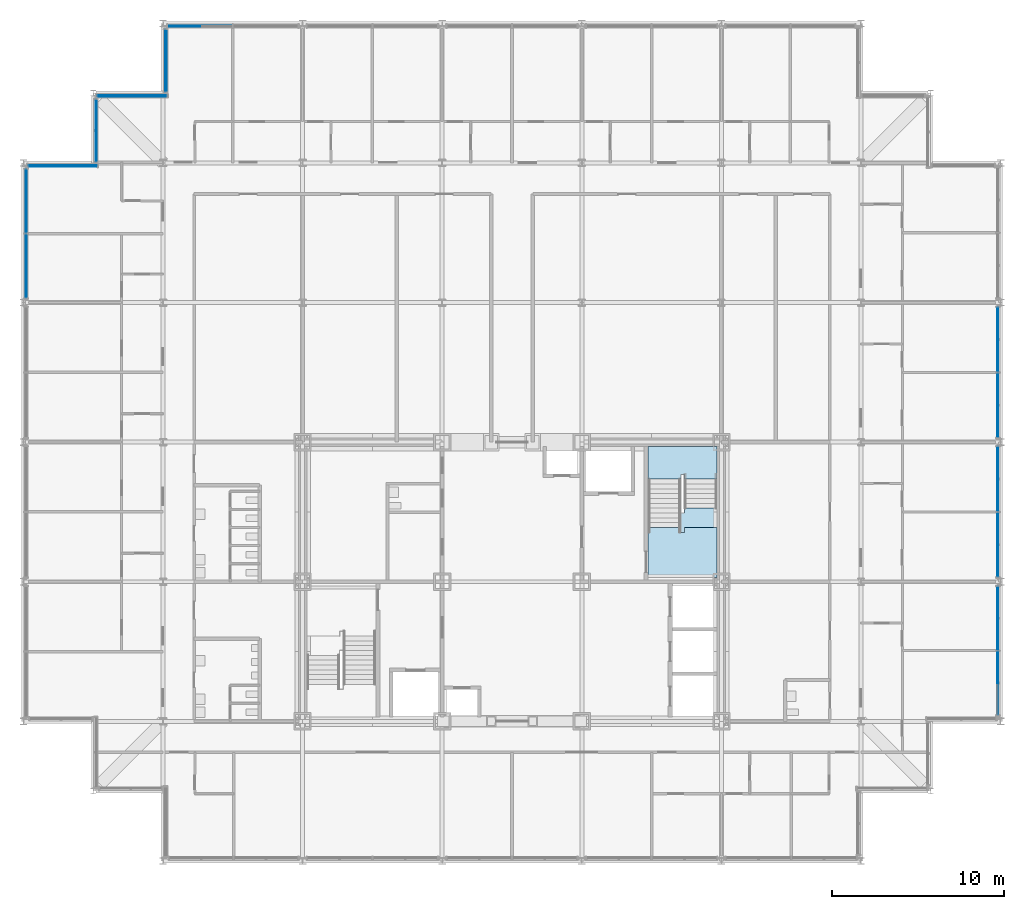
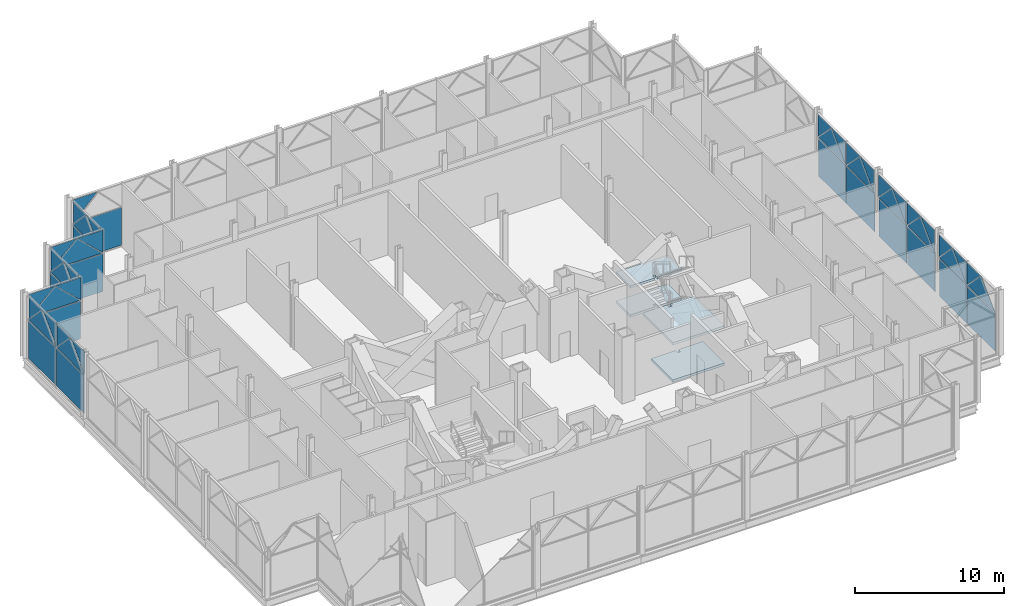
# One storey, part 16 of 26: 49 plates, 4 slabs, 10 elements without a shape of their own.
"""IFC4 building model written with IfcOpenShell, lengths in metres."""

from ifc_helpers import new_model, si_unit, direction, frame, origin, origin_2d, place, context, subcontext, project, spatial, polyline, rectangle, outline, extrude, material, layer, layer_set, type_object, element, aggregate, save


model = new_model("IFC4")

# Units and contexts
model_context = context("Model", 3, precision=1e-05, world=origin(), true_north=direction((0.0, 1.0)))
body_context = subcontext(model_context, "Body", "Model", "MODEL_VIEW")
ifc_project = project(units=[si_unit("LENGTHUNIT", "METRE"), si_unit("AREAUNIT", "SQUARE_METRE"), si_unit("VOLUMEUNIT", "CUBIC_METRE"), si_unit("PLANEANGLEUNIT", "RADIAN"), si_unit("MASSUNIT", "GRAM", prefix="KILO")], contexts=[model_context])

# Site, building, storey
site_placement = place(None, origin())
site = spatial("IfcSite", under=ifc_project, at=site_placement, CompositionType="ELEMENT")
building_placement = place(site_placement, origin())
building = spatial("IfcBuilding", under=site, at=building_placement, Name="Kopane Lantern Tower", CompositionType="ELEMENT")
storey_placement = place(building_placement, frame((0.0, 0.0, 293.10009765625)))
storey = spatial("IfcBuildingStorey", under=building, at=storey_placement, Name="L75", CompositionType="ELEMENT", Elevation=293.10009765625)

# Curtain wall, plates
ifc_material_1 = material(Name="Aluminium and clear glass", Category="aluminium")
curtain_wall_type = type_object("IfcCurtainWallType", Name="CURTAIN WALL CW5 SKY RESTAURANT", PredefinedType="USERDEFINED", material=ifc_material_1)
curtain_wall_1_placement = place(storey_placement, origin())
curtain_wall_1 = element("IfcCurtainWall", 1, at=curtain_wall_1_placement, inside=storey, type_object=curtain_wall_type, Name="Curtain wall CW5 E L75", ObjectType="CURTAIN WALL", PredefinedType="USERDEFINED")
ifc_material_2 = material(Name="Insulated clear glass unit", Category="glass")
ifc_layer_1 = layer(ifc_material_2, 0.035888671875)
ifc_layer_set_1 = layer_set([ifc_layer_1], Name="CURTAIN PANEL CW5-P 36")
plate_type = type_object("IfcPlateType", Name="CURTAIN PANEL CW5-P 36", PredefinedType="CURTAIN_PANEL", material=ifc_layer_set_1)
plate_1_placement = place(storey_placement, frame((56.550048828125, 26.518310546875, 0.0751953125), z_axis=(0.0, 0.0, 1.0), x_axis=(0.0, 1.0, 0.0)))
plate_1 = element("IfcPlate", 2, at=plate_1_placement, type_object=plate_type, Name="CW5 panel 1.1", PredefinedType="CURTAIN_PANEL", context=body_context, shape_type="SweptSolid", body=[
    extrude(rectangle(XDim=3.6865234375, YDim=0.035888671875, at=origin_2d()), origin(), (0.0, 0.0, 1.0), 3.077392578125),
])
plate_2_placement = place(storey_placement, frame((56.550048828125, 30.27978515625, 0.0751953125), z_axis=(0.0, 0.0, 1.0), x_axis=(0.0, 1.0, 0.0)))
plate_2 = element("IfcPlate", 3, at=plate_2_placement, type_object=plate_type, Name="CW5 panel 2.1", PredefinedType="CURTAIN_PANEL", context=body_context, shape_type="SweptSolid", body=[
    extrude(rectangle(XDim=3.6865234375, YDim=0.035888671875, at=origin_2d()), origin(), (0.0, 0.0, 1.0), 3.077392578125),
])
plate_3_placement = place(storey_placement, frame((56.550048828125, 24.675048828125, 3.227294921875), z_axis=(0.0, 0.0, 1.0), x_axis=(0.0, 1.0, 0.0)))
plate_3 = element("IfcPlate", 4, at=plate_3_placement, type_object=plate_type, Name="CW5 lancet panel 1", PredefinedType="CURTAIN_PANEL", context=body_context, shape_type="SweptSolid", body=[
    extrude(outline(polyline([(0.0, 0.0), (3.6865234375, 0.0), (3.6865234375, 0.001220703125), (1.84326171875, 1.890380859375), (0.0, 0.001220703125), (0.0, 0.0)])), frame((0.0, 0.01806640625, 0.0), z_axis=(0.0, -1.0, 0.0), x_axis=(1.0, 0.0, 0.0)), (0.0, 0.0, 1.0), 0.035888671875),
])
plate_4_placement = place(storey_placement, frame((56.511962890625, 28.361572265625, 5.114990234375), z_axis=(0.0, 0.0, 1.0), x_axis=(0.0, -1.0, 0.0)))
plate_4 = element("IfcPlate", 5, at=plate_4_placement, type_object=plate_type, Name="CW5 spandrel panel 1R", PredefinedType="CURTAIN_PANEL", context=body_context, shape_type="SweptSolid", body=[
    extrude(outline(polyline([(0.0, 0.0), (1.84326171875, 0.0), (1.84326171875, -0.0009765625), (0.0, -1.835205078125), (0.0, 0.0)])), frame((0.0, 0.01806640625, 0.0), z_axis=(0.0, -1.0, 0.0), x_axis=(1.0, 0.0, 0.0)), (0.0, 0.0, 1.0), 0.035888671875),
])
plate_5_placement = place(storey_placement, frame((56.550048828125, 28.4365234375, 3.227294921875), z_axis=(0.0, 0.0, 1.0), x_axis=(0.0, 1.0, 0.0)))
plate_5 = element("IfcPlate", 6, at=plate_5_placement, type_object=plate_type, Name="CW5 lancet panel 2", PredefinedType="CURTAIN_PANEL", context=body_context, shape_type="SweptSolid", body=[
    extrude(outline(polyline([(0.0, 0.0), (3.686767578125, 0.0), (3.6865234375, 0.001220703125), (1.84326171875, 1.890380859375), (0.0, 0.001220703125), (0.0, 0.0)])), frame((0.0, 0.01806640625, 0.0), z_axis=(0.0, -1.0, 0.0), x_axis=(1.0, 0.0, 0.0)), (0.0, 0.0, 1.0), 0.035888671875),
])
plate_6_placement = place(storey_placement, frame((56.511962890625, 28.4365234375, 5.114990234375), z_axis=(0.0, 0.0, 1.0), x_axis=(0.0, 1.0, 0.0)))
plate_6 = element("IfcPlate", 7, at=plate_6_placement, type_object=plate_type, Name="CW5 spandrel panel 2L", PredefinedType="CURTAIN_PANEL", context=body_context, shape_type="SweptSolid", body=[
    extrude(outline(polyline([(0.0, 0.0), (1.84326171875, 0.0), (1.84326171875, -0.0009765625), (0.0, -1.835205078125), (0.0, 0.0)])), frame((0.0, 0.01806640625, 0.0), z_axis=(0.0, -1.0, 0.0), x_axis=(1.0, 0.0, 0.0)), (0.0, 0.0, 1.0), 0.035888671875),
])
plate_7_placement = place(storey_placement, frame((56.511962890625, 32.123291015625, 5.114990234375), z_axis=(0.0, 0.0, 1.0), x_axis=(0.0, -1.0, 0.0)))
plate_7 = element("IfcPlate", 8, at=plate_7_placement, type_object=plate_type, Name="CW5 spandrel panel 2R", PredefinedType="CURTAIN_PANEL", context=body_context, shape_type="SweptSolid", body=[
    extrude(outline(polyline([(0.0, 0.0), (1.843505859375, 0.0), (1.84326171875, -0.0009765625), (0.0, -1.835205078125), (0.0, 0.0)])), frame((0.0, 0.01806640625, 0.0), z_axis=(0.0, -1.0, 0.0), x_axis=(1.0, 0.0, 0.0)), (0.0, 0.0, 1.0), 0.035888671875),
])
aggregate(curtain_wall_1, [plate_1, plate_2, plate_3, plate_4, plate_5, plate_6, plate_7])

curtain_wall_2_placement = place(storey_placement, origin())
curtain_wall_2 = element("IfcCurtainWall", 9, at=curtain_wall_2_placement, inside=storey, type_object=curtain_wall_type, Name="Curtain wall CW5 E L75", ObjectType="CURTAIN WALL", PredefinedType="USERDEFINED")
plate_8_placement = place(storey_placement, frame((56.550048828125, 34.544677734375, 0.0751953125), z_axis=(0.0, 0.0, 1.0), x_axis=(0.0, 1.0, 0.0)))
plate_8 = element("IfcPlate", 10, at=plate_8_placement, type_object=plate_type, Name="CW5 panel 1.1", PredefinedType="CURTAIN_PANEL", context=body_context, shape_type="SweptSolid", body=[
    extrude(rectangle(XDim=3.735595703125, YDim=0.035888671875, at=origin_2d()), origin(), (0.0, 0.0, 1.0), 3.077392578125),
])
plate_9_placement = place(storey_placement, frame((56.550048828125, 38.35546875, 0.0751953125), z_axis=(0.0, 0.0, 1.0), x_axis=(0.0, 1.0, 0.0)))
plate_9 = element("IfcPlate", 11, at=plate_9_placement, type_object=plate_type, Name="CW5 panel 2.1", PredefinedType="CURTAIN_PANEL", context=body_context, shape_type="SweptSolid", body=[
    extrude(rectangle(XDim=3.735595703125, YDim=0.035888671875, at=origin_2d()), origin(), (0.0, 0.0, 1.0), 3.077392578125),
])
plate_10_placement = place(storey_placement, frame((56.550048828125, 32.6767578125, 3.227294921875), z_axis=(0.0, 0.0, 1.0), x_axis=(0.0, 1.0, 0.0)))
plate_10 = element("IfcPlate", 12, at=plate_10_placement, type_object=plate_type, Name="CW5 lancet panel 1", PredefinedType="CURTAIN_PANEL", context=body_context, shape_type="SweptSolid", body=[
    extrude(outline(polyline([(0.0, 0.0), (3.73583984375, 0.0), (3.735595703125, 0.001220703125), (1.867919921875, 1.888916015625), (0.0, 0.001220703125), (0.0, 0.0)])), frame((0.0, 0.01806640625, 0.0), z_axis=(0.0, -1.0, 0.0), x_axis=(1.0, 0.0, 0.0)), (0.0, 0.0, 1.0), 0.035888671875),
])
plate_11_placement = place(storey_placement, frame((56.511962890625, 32.6767578125, 5.114990234375), z_axis=(0.0, 0.0, 1.0), x_axis=(0.0, 1.0, 0.0)))
plate_11 = element("IfcPlate", 13, at=plate_11_placement, type_object=plate_type, Name="CW5 spandrel panel 1L", PredefinedType="CURTAIN_PANEL", context=body_context, shape_type="SweptSolid", body=[
    extrude(outline(polyline([(0.0, 0.0), (1.867919921875, 0.0), (1.867919921875, -0.0009765625), (0.0, -1.8349609375), (0.0, 0.0)])), frame((0.0, 0.01806640625, 0.0), z_axis=(0.0, -1.0, 0.0), x_axis=(1.0, 0.0, 0.0)), (0.0, 0.0, 1.0), 0.035888671875),
])
plate_12_placement = place(storey_placement, frame((56.511962890625, 36.41259765625, 5.114990234375), z_axis=(0.0, 0.0, 1.0), x_axis=(0.0, -1.0, 0.0)))
plate_12 = element("IfcPlate", 14, at=plate_12_placement, type_object=plate_type, Name="CW5 spandrel panel 1R", PredefinedType="CURTAIN_PANEL", context=body_context, shape_type="SweptSolid", body=[
    extrude(outline(polyline([(0.0, 0.0), (1.867919921875, 0.0), (1.867919921875, -0.0009765625), (0.0, -1.8349609375), (0.0, 0.0)])), frame((0.0, 0.01806640625, 0.0), z_axis=(0.0, -1.0, 0.0), x_axis=(1.0, 0.0, 0.0)), (0.0, 0.0, 1.0), 0.035888671875),
])
plate_13_placement = place(storey_placement, frame((56.550048828125, 36.487548828125, 3.227294921875), z_axis=(0.0, 0.0, 1.0), x_axis=(0.0, 1.0, 0.0)))
plate_13 = element("IfcPlate", 15, at=plate_13_placement, type_object=plate_type, Name="CW5 lancet panel 2", PredefinedType="CURTAIN_PANEL", context=body_context, shape_type="SweptSolid", body=[
    extrude(outline(polyline([(0.0, 0.0), (3.735595703125, 0.0), (3.735595703125, 0.001220703125), (1.867919921875, 1.888916015625), (0.0, 0.001220703125), (0.0, 0.0)])), frame((0.0, 0.01806640625, 0.0), z_axis=(0.0, -1.0, 0.0), x_axis=(1.0, 0.0, 0.0)), (0.0, 0.0, 1.0), 0.035888671875),
])
plate_14_placement = place(storey_placement, frame((56.511962890625, 36.487548828125, 5.114990234375), z_axis=(0.0, 0.0, 1.0), x_axis=(0.0, 1.0, 0.0)))
plate_14 = element("IfcPlate", 16, at=plate_14_placement, type_object=plate_type, Name="CW5 spandrel panel 2L", PredefinedType="CURTAIN_PANEL", context=body_context, shape_type="SweptSolid", body=[
    extrude(outline(polyline([(0.0, 0.0), (1.867919921875, 0.0), (1.867919921875, -0.0009765625), (0.0, -1.8349609375), (0.0, 0.0)])), frame((0.0, 0.01806640625, 0.0), z_axis=(0.0, -1.0, 0.0), x_axis=(1.0, 0.0, 0.0)), (0.0, 0.0, 1.0), 0.035888671875),
])
plate_15_placement = place(storey_placement, frame((56.511962890625, 40.22314453125, 5.114990234375), z_axis=(0.0, 0.0, 1.0), x_axis=(0.0, -1.0, 0.0)))
plate_15 = element("IfcPlate", 17, at=plate_15_placement, type_object=plate_type, Name="CW5 spandrel panel 2R", PredefinedType="CURTAIN_PANEL", context=body_context, shape_type="SweptSolid", body=[
    extrude(outline(polyline([(0.0, 0.0), (1.86767578125, 0.0), (1.867919921875, -0.0009765625), (0.0, -1.8349609375), (0.0, 0.0)])), frame((0.0, 0.01806640625, 0.0), z_axis=(0.0, -1.0, 0.0), x_axis=(1.0, 0.0, 0.0)), (0.0, 0.0, 1.0), 0.035888671875),
])
aggregate(curtain_wall_2, [plate_8, plate_9, plate_10, plate_11, plate_12, plate_13, plate_14, plate_15])

curtain_wall_3_placement = place(storey_placement, origin())
curtain_wall_3 = element("IfcCurtainWall", 18, at=curtain_wall_3_placement, inside=storey, type_object=curtain_wall_type, Name="Curtain wall CW5 E L75", ObjectType="CURTAIN WALL", PredefinedType="USERDEFINED")
plate_16_placement = place(storey_placement, frame((56.550048828125, 42.64453125, 0.0751953125), z_axis=(0.0, 0.0, 1.0), x_axis=(0.0, 1.0, 0.0)))
plate_16 = element("IfcPlate", 19, at=plate_16_placement, type_object=plate_type, Name="CW5 panel 1.1", PredefinedType="CURTAIN_PANEL", context=body_context, shape_type="SweptSolid", body=[
    extrude(rectangle(XDim=3.735595703125, YDim=0.035888671875, at=origin_2d()), origin(), (0.0, 0.0, 1.0), 3.077392578125),
])
plate_17_placement = place(storey_placement, frame((56.550048828125, 46.455322265625, 0.0751953125), z_axis=(0.0, 0.0, 1.0), x_axis=(0.0, 1.0, 0.0)))
plate_17 = element("IfcPlate", 20, at=plate_17_placement, type_object=plate_type, Name="CW5 panel 2.1", PredefinedType="CURTAIN_PANEL", context=body_context, shape_type="SweptSolid", body=[
    extrude(rectangle(XDim=3.735595703125, YDim=0.035888671875, at=origin_2d()), origin(), (0.0, 0.0, 1.0), 3.077392578125),
])
plate_18_placement = place(storey_placement, frame((56.550048828125, 40.77685546875, 3.227294921875), z_axis=(0.0, 0.0, 1.0), x_axis=(0.0, 1.0, 0.0)))
plate_18 = element("IfcPlate", 21, at=plate_18_placement, type_object=plate_type, Name="CW5 lancet panel 1", PredefinedType="CURTAIN_PANEL", context=body_context, shape_type="SweptSolid", body=[
    extrude(outline(polyline([(0.0, 0.0), (3.735595703125, 0.0), (3.735595703125, 0.001220703125), (1.867919921875, 1.888916015625), (0.0, 0.001220703125), (0.0, 0.0)])), frame((0.0, 0.01806640625, 0.0), z_axis=(0.0, -1.0, 0.0), x_axis=(1.0, 0.0, 0.0)), (0.0, 0.0, 1.0), 0.035888671875),
])
plate_19_placement = place(storey_placement, frame((56.511962890625, 40.77685546875, 5.114990234375), z_axis=(0.0, 0.0, 1.0), x_axis=(0.0, 1.0, 0.0)))
plate_19 = element("IfcPlate", 22, at=plate_19_placement, type_object=plate_type, Name="CW5 spandrel panel 1L", PredefinedType="CURTAIN_PANEL", context=body_context, shape_type="SweptSolid", body=[
    extrude(outline(polyline([(0.0, 0.0), (1.86767578125, 0.0), (1.867919921875, -0.0009765625), (0.0, -1.8349609375), (0.0, 0.0)])), frame((0.0, 0.01806640625, 0.0), z_axis=(0.0, -1.0, 0.0), x_axis=(1.0, 0.0, 0.0)), (0.0, 0.0, 1.0), 0.035888671875),
])
plate_20_placement = place(storey_placement, frame((56.511962890625, 44.512451171875, 5.114990234375), z_axis=(0.0, 0.0, 1.0), x_axis=(0.0, -1.0, 0.0)))
plate_20 = element("IfcPlate", 23, at=plate_20_placement, type_object=plate_type, Name="CW5 spandrel panel 1R", PredefinedType="CURTAIN_PANEL", context=body_context, shape_type="SweptSolid", body=[
    extrude(outline(polyline([(0.0, 0.0), (1.867919921875, 0.0), (1.867919921875, -0.0009765625), (0.0, -1.8349609375), (0.0, 0.0)])), frame((0.0, 0.01806640625, 0.0), z_axis=(0.0, -1.0, 0.0), x_axis=(1.0, 0.0, 0.0)), (0.0, 0.0, 1.0), 0.035888671875),
])
plate_21_placement = place(storey_placement, frame((56.550048828125, 44.58740234375, 3.227294921875), z_axis=(0.0, 0.0, 1.0), x_axis=(0.0, 1.0, 0.0)))
plate_21 = element("IfcPlate", 24, at=plate_21_placement, type_object=plate_type, Name="CW5 lancet panel 2", PredefinedType="CURTAIN_PANEL", context=body_context, shape_type="SweptSolid", body=[
    extrude(outline(polyline([(0.0, 0.0), (3.73583984375, 0.0), (3.735595703125, 0.001220703125), (1.867919921875, 1.888916015625), (0.0, 0.001220703125), (0.0, 0.0)])), frame((0.0, 0.01806640625, 0.0), z_axis=(0.0, -1.0, 0.0), x_axis=(1.0, 0.0, 0.0)), (0.0, 0.0, 1.0), 0.035888671875),
])
plate_22_placement = place(storey_placement, frame((56.511962890625, 44.58740234375, 5.114990234375), z_axis=(0.0, 0.0, 1.0), x_axis=(0.0, 1.0, 0.0)))
plate_22 = element("IfcPlate", 25, at=plate_22_placement, type_object=plate_type, Name="CW5 spandrel panel 2L", PredefinedType="CURTAIN_PANEL", context=body_context, shape_type="SweptSolid", body=[
    extrude(outline(polyline([(0.0, 0.0), (1.867919921875, 0.0), (1.867919921875, -0.0009765625), (0.0, -1.8349609375), (0.0, 0.0)])), frame((0.0, 0.01806640625, 0.0), z_axis=(0.0, -1.0, 0.0), x_axis=(1.0, 0.0, 0.0)), (0.0, 0.0, 1.0), 0.035888671875),
])
plate_23_placement = place(storey_placement, frame((56.511962890625, 48.3232421875, 5.114990234375), z_axis=(0.0, 0.0, 1.0), x_axis=(0.0, -1.0, 0.0)))
plate_23 = element("IfcPlate", 26, at=plate_23_placement, type_object=plate_type, Name="CW5 spandrel panel 2R", PredefinedType="CURTAIN_PANEL", context=body_context, shape_type="SweptSolid", body=[
    extrude(outline(polyline([(0.0, 0.0), (1.867919921875, 0.0), (1.867919921875, -0.0009765625), (0.0, -1.8349609375), (0.0, 0.0)])), frame((0.0, 0.01806640625, 0.0), z_axis=(0.0, -1.0, 0.0), x_axis=(1.0, 0.0, 0.0)), (0.0, 0.0, 1.0), 0.035888671875),
])
aggregate(curtain_wall_3, [plate_16, plate_17, plate_18, plate_19, plate_20, plate_21, plate_22, plate_23])

curtain_wall_4_placement = place(storey_placement, origin())
curtain_wall_4 = element("IfcCurtainWall", 27, at=curtain_wall_4_placement, inside=storey, type_object=curtain_wall_type, Name="Curtain wall CW5 N L75", ObjectType="CURTAIN WALL", PredefinedType="USERDEFINED")
plate_24_placement = place(storey_placement, frame((10.24609375, 64.64990234375, 0.0751953125), z_axis=(0.0, 0.0, 1.0), x_axis=(-1.0, 0.0, 0.0)))
plate_24 = element("IfcPlate", 28, at=plate_24_placement, type_object=plate_type, Name="CW5 panel 2.1", PredefinedType="CURTAIN_PANEL", context=body_context, shape_type="SweptSolid", body=[
    extrude(rectangle(XDim=3.73291015625, YDim=0.035888671875, at=origin_2d()), origin(), (0.0, 0.0, 1.0), 3.077392578125),
])
plate_25_placement = place(storey_placement, frame((8.37939453125, 64.612060546875, 5.114990234375), z_axis=(0.0, 0.0, 1.0), x_axis=(1.0, 0.0, 0.0)))
plate_25 = element("IfcPlate", 29, at=plate_25_placement, type_object=plate_type, Name="CW5 spandrel panel 2R", PredefinedType="CURTAIN_PANEL", context=body_context, shape_type="SweptSolid", body=[
    extrude(outline(polyline([(0.0, 0.0), (1.86669921875, 0.0), (1.866455078125, -0.0009765625), (0.0, -1.8349609375), (0.0, 0.0)])), frame((0.0, 0.01806640625, 0.0), z_axis=(0.0, -1.0, 0.0), x_axis=(1.0, 0.0, 0.0)), (0.0, 0.0, 1.0), 0.035888671875),
])
aggregate(curtain_wall_4, [plate_24, plate_25])

curtain_wall_5_placement = place(storey_placement, origin())
curtain_wall_5 = element("IfcCurtainWall", 30, at=curtain_wall_5_placement, inside=storey, type_object=curtain_wall_type, Name="Curtain wall CW5 W L75", ObjectType="CURTAIN WALL", PredefinedType="USERDEFINED")
plate_26_placement = place(storey_placement, frame((8.25, 62.625, 0.0751953125), z_axis=(0.0, 0.0, 1.0), x_axis=(0.0, -1.0, 0.0)))
plate_26 = element("IfcPlate", 31, at=plate_26_placement, type_object=plate_type, Name="CW5 panel 1.1", PredefinedType="CURTAIN_PANEL", context=body_context, shape_type="SweptSolid", body=[
    extrude(rectangle(XDim=3.60009765625, YDim=0.035888671875, at=origin_2d()), origin(), (0.0, 0.0, 1.0), 3.077392578125),
])
plate_27_placement = place(storey_placement, frame((8.25, 64.425048828125, 3.227294921875), z_axis=(0.0, 0.0, 1.0), x_axis=(0.0, -1.0, 0.0)))
plate_27 = element("IfcPlate", 32, at=plate_27_placement, type_object=plate_type, Name="CW5 lancet panel 1", PredefinedType="CURTAIN_PANEL", context=body_context, shape_type="SweptSolid", body=[
    extrude(outline(polyline([(0.0, 0.0), (3.60009765625, 0.0), (3.60009765625, 0.001220703125), (1.800048828125, 1.89306640625), (0.0, 0.001220703125), (0.0, 0.0)])), frame((0.0, 0.01806640625, 0.0), z_axis=(0.0, -1.0, 0.0), x_axis=(1.0, 0.0, 0.0)), (0.0, 0.0, 1.0), 0.035888671875),
])
plate_28_placement = place(storey_placement, frame((8.2880859375, 64.425048828125, 5.114990234375), z_axis=(0.0, 0.0, 1.0), x_axis=(0.0, -1.0, 0.0)))
plate_28 = element("IfcPlate", 33, at=plate_28_placement, type_object=plate_type, Name="CW5 spandrel panel 1L", PredefinedType="CURTAIN_PANEL", context=body_context, shape_type="SweptSolid", body=[
    extrude(outline(polyline([(0.0, 0.0), (1.800048828125, 0.0), (1.800048828125, -0.0009765625), (0.0, -1.8359375), (0.0, 0.0)])), frame((0.0, 0.01806640625, 0.0), z_axis=(0.0, -1.0, 0.0), x_axis=(1.0, 0.0, 0.0)), (0.0, 0.0, 1.0), 0.035888671875),
])
plate_29_placement = place(storey_placement, frame((8.2880859375, 60.824951171875, 5.114990234375), z_axis=(0.0, 0.0, 1.0), x_axis=(0.0, 1.0, 0.0)))
plate_29 = element("IfcPlate", 34, at=plate_29_placement, type_object=plate_type, Name="CW5 spandrel panel 1R", PredefinedType="CURTAIN_PANEL", context=body_context, shape_type="SweptSolid", body=[
    extrude(outline(polyline([(0.0, 0.0), (1.800048828125, 0.0), (1.800048828125, -0.0009765625), (0.0, -1.8359375), (0.0, 0.0)])), frame((0.0, 0.01806640625, 0.0), z_axis=(0.0, -1.0, 0.0), x_axis=(1.0, 0.0, 0.0)), (0.0, 0.0, 1.0), 0.035888671875),
])
aggregate(curtain_wall_5, [plate_26, plate_27, plate_28, plate_29])

curtain_wall_6_placement = place(storey_placement, origin())
curtain_wall_6 = element("IfcCurtainWall", 35, at=curtain_wall_6_placement, inside=storey, type_object=curtain_wall_type, Name="Curtain wall CW5 N L75", ObjectType="CURTAIN WALL", PredefinedType="USERDEFINED")
plate_30_placement = place(storey_placement, frame((6.304443359375, 60.60009765625, 0.0751953125), z_axis=(0.0, 0.0, 1.0), x_axis=(-1.0, 0.0, 0.0)))
plate_30 = element("IfcPlate", 36, at=plate_30_placement, type_object=plate_type, Name="CW5 panel 1.1", PredefinedType="CURTAIN_PANEL", context=body_context, shape_type="SweptSolid", body=[
    extrude(rectangle(XDim=4.041259765625, YDim=0.035888671875, at=origin_2d()), origin(), (0.0, 0.0, 1.0), 3.077392578125),
])
plate_31_placement = place(storey_placement, frame((8.324951171875, 60.60009765625, 3.227294921875), z_axis=(0.0, 0.0, 1.0), x_axis=(-1.0, 0.0, 0.0)))
plate_31 = element("IfcPlate", 37, at=plate_31_placement, type_object=plate_type, Name="CW5 lancet panel 1", PredefinedType="CURTAIN_PANEL", context=body_context, shape_type="SweptSolid", body=[
    extrude(outline(polyline([(0.0, 0.0), (4.041259765625, 0.0), (4.041259765625, 0.001220703125), (2.020751953125, 1.880126953125), (0.0, 0.001220703125), (0.0, 0.0)])), frame((0.0, 0.01806640625, 0.0), z_axis=(0.0, -1.0, 0.0), x_axis=(1.0, 0.0, 0.0)), (0.0, 0.0, 1.0), 0.035888671875),
])
plate_32_placement = place(storey_placement, frame((8.324951171875, 60.56201171875, 5.114990234375), z_axis=(0.0, 0.0, 1.0), x_axis=(-1.0, 0.0, 0.0)))
plate_32 = element("IfcPlate", 38, at=plate_32_placement, type_object=plate_type, Name="CW5 spandrel panel 1L", PredefinedType="CURTAIN_PANEL", context=body_context, shape_type="SweptSolid", body=[
    extrude(outline(polyline([(0.0, 0.0), (2.020751953125, 0.0), (2.020751953125, -0.0009765625), (0.0, -1.832763671875), (0.0, 0.0)])), frame((0.0, 0.01806640625, 0.0), z_axis=(0.0, -1.0, 0.0), x_axis=(1.0, 0.0, 0.0)), (0.0, 0.0, 1.0), 0.035888671875),
])
plate_33_placement = place(storey_placement, frame((4.28369140625, 60.56201171875, 5.114990234375), z_axis=(0.0, 0.0, 1.0), x_axis=(1.0, 0.0, 0.0)))
plate_33 = element("IfcPlate", 39, at=plate_33_placement, type_object=plate_type, Name="CW5 spandrel panel 1R", PredefinedType="CURTAIN_PANEL", context=body_context, shape_type="SweptSolid", body=[
    extrude(outline(polyline([(0.0, 0.0), (2.0205078125, 0.0), (2.020751953125, -0.0009765625), (0.0, -1.832763671875), (0.0, 0.0)])), frame((0.0, 0.01806640625, 0.0), z_axis=(0.0, -1.0, 0.0), x_axis=(1.0, 0.0, 0.0)), (0.0, 0.0, 1.0), 0.035888671875),
])
aggregate(curtain_wall_6, [plate_30, plate_31, plate_32, plate_33])

curtain_wall_7_placement = place(storey_placement, origin())
curtain_wall_7 = element("IfcCurtainWall", 40, at=curtain_wall_7_placement, inside=storey, type_object=curtain_wall_type, Name="Curtain wall CW5 W L75", ObjectType="CURTAIN WALL", PredefinedType="USERDEFINED")
plate_34_placement = place(storey_placement, frame((4.199951171875, 58.574951171875, 0.0751953125), z_axis=(0.0, 0.0, 1.0), x_axis=(0.0, -1.0, 0.0)))
plate_34 = element("IfcPlate", 41, at=plate_34_placement, type_object=plate_type, Name="CW5 panel 1.1", PredefinedType="CURTAIN_PANEL", context=body_context, shape_type="SweptSolid", body=[
    extrude(rectangle(XDim=3.60009765625, YDim=0.035888671875, at=origin_2d()), origin(), (0.0, 0.0, 1.0), 3.077392578125),
])
plate_35_placement = place(storey_placement, frame((4.199951171875, 60.375, 3.227294921875), z_axis=(0.0, 0.0, 1.0), x_axis=(0.0, -1.0, 0.0)))
plate_35 = element("IfcPlate", 42, at=plate_35_placement, type_object=plate_type, Name="CW5 lancet panel 1", PredefinedType="CURTAIN_PANEL", context=body_context, shape_type="SweptSolid", body=[
    extrude(outline(polyline([(0.0, 0.0), (3.60009765625, 0.0), (3.60009765625, 0.001220703125), (1.800048828125, 1.89306640625), (0.0, 0.001220703125), (0.0, 0.0)])), frame((0.0, 0.01806640625, 0.0), z_axis=(0.0, -1.0, 0.0), x_axis=(1.0, 0.0, 0.0)), (0.0, 0.0, 1.0), 0.035888671875),
])
plate_36_placement = place(storey_placement, frame((4.238037109375, 60.375, 5.114990234375), z_axis=(0.0, 0.0, 1.0), x_axis=(0.0, -1.0, 0.0)))
plate_36 = element("IfcPlate", 43, at=plate_36_placement, type_object=plate_type, Name="CW5 spandrel panel 1L", PredefinedType="CURTAIN_PANEL", context=body_context, shape_type="SweptSolid", body=[
    extrude(outline(polyline([(0.0, 0.0), (1.800048828125, 0.0), (1.800048828125, -0.0009765625), (0.0, -1.8359375), (0.0, 0.0)])), frame((0.0, 0.01806640625, 0.0), z_axis=(0.0, -1.0, 0.0), x_axis=(1.0, 0.0, 0.0)), (0.0, 0.0, 1.0), 0.035888671875),
])
plate_37_placement = place(storey_placement, frame((4.238037109375, 56.77490234375, 5.114990234375), z_axis=(0.0, 0.0, 1.0), x_axis=(0.0, 1.0, 0.0)))
plate_37 = element("IfcPlate", 44, at=plate_37_placement, type_object=plate_type, Name="CW5 spandrel panel 1R", PredefinedType="CURTAIN_PANEL", context=body_context, shape_type="SweptSolid", body=[
    extrude(outline(polyline([(0.0, 0.0), (1.800048828125, 0.0), (1.800048828125, -0.0009765625), (0.0, -1.8359375), (0.0, 0.0)])), frame((0.0, 0.01806640625, 0.0), z_axis=(0.0, -1.0, 0.0), x_axis=(1.0, 0.0, 0.0)), (0.0, 0.0, 1.0), 0.035888671875),
])
aggregate(curtain_wall_7, [plate_34, plate_35, plate_36, plate_37])

curtain_wall_8_placement = place(storey_placement, origin())
curtain_wall_8 = element("IfcCurtainWall", 45, at=curtain_wall_8_placement, inside=storey, type_object=curtain_wall_type, Name="Curtain wall CW5 N L75", ObjectType="CURTAIN WALL", PredefinedType="USERDEFINED")
plate_38_placement = place(storey_placement, frame((2.27734375, 56.550048828125, 0.0751953125), z_axis=(0.0, 0.0, 1.0), x_axis=(-1.0, 0.0, 0.0)))
plate_38 = element("IfcPlate", 46, at=plate_38_placement, type_object=plate_type, Name="CW5 panel 1.1", PredefinedType="CURTAIN_PANEL", context=body_context, shape_type="SweptSolid", body=[
    extrude(rectangle(XDim=3.99560546875, YDim=0.035888671875, at=origin_2d()), origin(), (0.0, 0.0, 1.0), 3.077392578125),
])
plate_39_placement = place(storey_placement, frame((4.27490234375, 56.550048828125, 3.227294921875), z_axis=(0.0, 0.0, 1.0), x_axis=(-1.0, 0.0, 0.0)))
plate_39 = element("IfcPlate", 47, at=plate_39_placement, type_object=plate_type, Name="CW5 lancet panel 1", PredefinedType="CURTAIN_PANEL", context=body_context, shape_type="SweptSolid", body=[
    extrude(outline(polyline([(0.0, 0.0), (3.995361328125, 0.0), (3.99560546875, 0.001220703125), (1.997802734375, 1.88134765625), (0.0, 0.001220703125), (0.0, 0.0)])), frame((0.0, 0.01806640625, 0.0), z_axis=(0.0, -1.0, 0.0), x_axis=(1.0, 0.0, 0.0)), (0.0, 0.0, 1.0), 0.035888671875),
])
plate_40_placement = place(storey_placement, frame((4.27490234375, 56.511962890625, 5.114990234375), z_axis=(0.0, 0.0, 1.0), x_axis=(-1.0, 0.0, 0.0)))
plate_40 = element("IfcPlate", 48, at=plate_40_placement, type_object=plate_type, Name="CW5 spandrel panel 1L", PredefinedType="CURTAIN_PANEL", context=body_context, shape_type="SweptSolid", body=[
    extrude(outline(polyline([(0.0, 0.0), (1.997802734375, 0.0), (1.997802734375, -0.0009765625), (0.0, -1.8330078125), (0.0, 0.0)])), frame((0.0, 0.01806640625, 0.0), z_axis=(0.0, -1.0, 0.0), x_axis=(1.0, 0.0, 0.0)), (0.0, 0.0, 1.0), 0.035888671875),
])
plate_41_placement = place(storey_placement, frame((0.279541015625, 56.511962890625, 5.114990234375), z_axis=(0.0, 0.0, 1.0), x_axis=(1.0, 0.0, 0.0)))
plate_41 = element("IfcPlate", 49, at=plate_41_placement, type_object=plate_type, Name="CW5 spandrel panel 1R", PredefinedType="CURTAIN_PANEL", context=body_context, shape_type="SweptSolid", body=[
    extrude(outline(polyline([(0.0, 0.0), (1.99755859375, 0.0), (1.997802734375, -0.0009765625), (0.0, -1.8330078125), (0.0, 0.0)])), frame((0.0, 0.01806640625, 0.0), z_axis=(0.0, -1.0, 0.0), x_axis=(1.0, 0.0, 0.0)), (0.0, 0.0, 1.0), 0.035888671875),
])
aggregate(curtain_wall_8, [plate_38, plate_39, plate_40, plate_41])

curtain_wall_9_placement = place(storey_placement, origin())
curtain_wall_9 = element("IfcCurtainWall", 50, at=curtain_wall_9_placement, inside=storey, type_object=curtain_wall_type, Name="Curtain wall CW5 W L75", ObjectType="CURTAIN WALL", PredefinedType="USERDEFINED")
plate_42_placement = place(storey_placement, frame((0.14990234375, 54.481689453125, 0.0751953125), z_axis=(0.0, 0.0, 1.0), x_axis=(0.0, -1.0, 0.0)))
plate_42 = element("IfcPlate", 51, at=plate_42_placement, type_object=plate_type, Name="CW5 panel 1.1", PredefinedType="CURTAIN_PANEL", context=body_context, shape_type="SweptSolid", body=[
    extrude(rectangle(XDim=3.6865234375, YDim=0.035888671875, at=origin_2d()), origin(), (0.0, 0.0, 1.0), 3.077392578125),
])
plate_43_placement = place(storey_placement, frame((0.14990234375, 50.72021484375, 0.0751953125), z_axis=(0.0, 0.0, 1.0), x_axis=(0.0, -1.0, 0.0)))
plate_43 = element("IfcPlate", 52, at=plate_43_placement, type_object=plate_type, Name="CW5 panel 2.1", PredefinedType="CURTAIN_PANEL", context=body_context, shape_type="SweptSolid", body=[
    extrude(rectangle(XDim=3.6865234375, YDim=0.035888671875, at=origin_2d()), origin(), (0.0, 0.0, 1.0), 3.077392578125),
])
plate_44_placement = place(storey_placement, frame((0.14990234375, 56.324951171875, 3.227294921875), z_axis=(0.0, 0.0, 1.0), x_axis=(0.0, -1.0, 0.0)))
plate_44 = element("IfcPlate", 53, at=plate_44_placement, type_object=plate_type, Name="CW5 lancet panel 1", PredefinedType="CURTAIN_PANEL", context=body_context, shape_type="SweptSolid", body=[
    extrude(outline(polyline([(0.0, 0.0), (3.6865234375, 0.0), (3.6865234375, 0.001220703125), (1.84326171875, 1.890380859375), (0.0, 0.001220703125), (0.0, 0.0)])), frame((0.0, 0.01806640625, 0.0), z_axis=(0.0, -1.0, 0.0), x_axis=(1.0, 0.0, 0.0)), (0.0, 0.0, 1.0), 0.035888671875),
])
plate_45_placement = place(storey_placement, frame((0.18798828125, 56.324951171875, 5.114990234375), z_axis=(0.0, 0.0, 1.0), x_axis=(0.0, -1.0, 0.0)))
plate_45 = element("IfcPlate", 54, at=plate_45_placement, type_object=plate_type, Name="CW5 spandrel panel 1L", PredefinedType="CURTAIN_PANEL", context=body_context, shape_type="SweptSolid", body=[
    extrude(outline(polyline([(0.0, 0.0), (1.84326171875, 0.0), (1.84326171875, -0.0009765625), (0.0, -1.835205078125), (0.0, 0.0)])), frame((0.0, 0.01806640625, 0.0), z_axis=(0.0, -1.0, 0.0), x_axis=(1.0, 0.0, 0.0)), (0.0, 0.0, 1.0), 0.035888671875),
])
plate_46_placement = place(storey_placement, frame((0.18798828125, 52.638427734375, 5.114990234375), z_axis=(0.0, 0.0, 1.0), x_axis=(0.0, 1.0, 0.0)))
plate_46 = element("IfcPlate", 55, at=plate_46_placement, type_object=plate_type, Name="CW5 spandrel panel 1R", PredefinedType="CURTAIN_PANEL", context=body_context, shape_type="SweptSolid", body=[
    extrude(outline(polyline([(0.0, 0.0), (1.84326171875, 0.0), (1.84326171875, -0.0009765625), (0.0, -1.835205078125), (0.0, 0.0)])), frame((0.0, 0.01806640625, 0.0), z_axis=(0.0, -1.0, 0.0), x_axis=(1.0, 0.0, 0.0)), (0.0, 0.0, 1.0), 0.035888671875),
])
plate_47_placement = place(storey_placement, frame((0.14990234375, 52.5634765625, 3.227294921875), z_axis=(0.0, 0.0, 1.0), x_axis=(0.0, -1.0, 0.0)))
plate_47 = element("IfcPlate", 56, at=plate_47_placement, type_object=plate_type, Name="CW5 lancet panel 2", PredefinedType="CURTAIN_PANEL", context=body_context, shape_type="SweptSolid", body=[
    extrude(outline(polyline([(0.0, 0.0), (3.686767578125, 0.0), (3.6865234375, 0.001220703125), (1.84326171875, 1.890380859375), (0.0, 0.001220703125), (0.0, 0.0)])), frame((0.0, 0.01806640625, 0.0), z_axis=(0.0, -1.0, 0.0), x_axis=(1.0, 0.0, 0.0)), (0.0, 0.0, 1.0), 0.035888671875),
])
plate_48_placement = place(storey_placement, frame((0.18798828125, 52.5634765625, 5.114990234375), z_axis=(0.0, 0.0, 1.0), x_axis=(0.0, -1.0, 0.0)))
plate_48 = element("IfcPlate", 57, at=plate_48_placement, type_object=plate_type, Name="CW5 spandrel panel 2L", PredefinedType="CURTAIN_PANEL", context=body_context, shape_type="SweptSolid", body=[
    extrude(outline(polyline([(0.0, 0.0), (1.84326171875, 0.0), (1.84326171875, -0.0009765625), (0.0, -1.835205078125), (0.0, 0.0)])), frame((0.0, 0.01806640625, 0.0), z_axis=(0.0, -1.0, 0.0), x_axis=(1.0, 0.0, 0.0)), (0.0, 0.0, 1.0), 0.035888671875),
])
plate_49_placement = place(storey_placement, frame((0.18798828125, 48.876708984375, 5.114990234375), z_axis=(0.0, 0.0, 1.0), x_axis=(0.0, 1.0, 0.0)))
plate_49 = element("IfcPlate", 58, at=plate_49_placement, type_object=plate_type, Name="CW5 spandrel panel 2R", PredefinedType="CURTAIN_PANEL", context=body_context, shape_type="SweptSolid", body=[
    extrude(outline(polyline([(0.0, 0.0), (1.843505859375, 0.0), (1.84326171875, -0.0009765625), (0.0, -1.835205078125), (0.0, 0.0)])), frame((0.0, 0.01806640625, 0.0), z_axis=(0.0, -1.0, 0.0), x_axis=(1.0, 0.0, 0.0)), (0.0, 0.0, 1.0), 0.035888671875),
])
aggregate(curtain_wall_9, [plate_42, plate_43, plate_44, plate_45, plate_46, plate_47, plate_48, plate_49])

# Stair, slabs
ifc_material_3 = material(Name="Steel S355JR", Category="steel")
stair_type = type_object("IfcStairType", Name="EXIT STAIR 1900 HALF TURN", PredefinedType="HALF_TURN_STAIR", material=ifc_material_3)
stair_placement = place(storey_placement, origin())
stair = element("IfcStair", 59, at=stair_placement, inside=storey, type_object=stair_type, Name="Exit stair ST2 L75", PredefinedType="HALF_TURN_STAIR")
ifc_material_4 = material(Name="Concrete C40/50", Category="concrete")
ifc_layer_2 = layer(ifc_material_4, 0.199951171875)
ifc_layer_set_2 = layer_set([ifc_layer_2], Name="STAIR LANDING 200")
slab_type = type_object("IfcSlabType", Name="STAIR LANDING 200", PredefinedType="LANDING", material=ifc_layer_set_2)
slab_1_placement = place(storey_placement, frame((0.0, 0.0, -0.2001953125)))
slab_1 = element("IfcSlab", 60, at=slab_1_placement, type_object=slab_type, Name="ST2 landing 1", PredefinedType="LANDING", context=body_context, shape_type="SweptSolid", body=[
    extrude(outline(polyline([(40.25, 35.550048828125), (38.35009765625, 35.550048828125), (38.35009765625, 35.27001953125), (38.14990234375, 35.27001953125), (38.14990234375, 35.550048828125), (36.25, 35.550048828125), (36.25, 32.64990234375), (40.25, 32.64990234375), (40.25, 35.550048828125)])), origin(), (0.0, 0.0, 1.0), 0.2001953125),
])
slab_2_placement = place(storey_placement, frame((0.0, 0.0, 1.65625)))
slab_2 = element("IfcSlab", 61, at=slab_2_placement, type_object=slab_type, Name="ST2 landing 2", PredefinedType="LANDING", context=body_context, shape_type="SweptSolid", body=[
    extrude(outline(polyline([(38.14990234375, 38.6298828125), (38.35009765625, 38.6298828125), (38.35009765625, 38.35009765625), (40.25, 38.35009765625), (40.25, 40.25), (36.25, 40.25), (36.25, 38.35009765625), (38.14990234375, 38.35009765625), (38.14990234375, 38.6298828125)])), origin(), (0.0, 0.0, 1.0), 0.199951171875),
])
slab_3_placement = place(storey_placement, frame((0.0, 0.0, 2.83740234375)))
slab_3 = element("IfcSlab", 62, at=slab_3_placement, type_object=slab_type, Name="ST2 landing 3", PredefinedType="LANDING", context=body_context, shape_type="SweptSolid", body=[
    extrude(outline(polyline([(40.25, 36.669921875), (38.35009765625, 36.669921875), (38.35009765625, 36.389892578125), (38.14990234375, 36.389892578125), (38.14990234375, 36.669921875), (36.25, 36.669921875), (36.25, 32.64990234375), (40.25, 32.64990234375), (40.25, 36.669921875)])), origin(), (0.0, 0.0, 1.0), 0.199951171875),
])
slab_4_placement = place(storey_placement, frame((0.0, 0.0, 4.0185546875)))
slab_4 = element("IfcSlab", 63, at=slab_4_placement, type_object=slab_type, Name="ST2 landing 4", PredefinedType="LANDING", context=body_context, shape_type="SweptSolid", body=[
    extrude(outline(polyline([(38.14990234375, 38.6298828125), (38.35009765625, 38.6298828125), (38.35009765625, 38.35009765625), (40.25, 38.35009765625), (40.25, 40.25), (36.25, 40.25), (36.25, 38.35009765625), (38.14990234375, 38.35009765625), (38.14990234375, 38.6298828125)])), origin(), (0.0, 0.0, 1.0), 0.199951171875),
])
aggregate(stair, [slab_1, slab_2, slab_3, slab_4])

save(model, "model.ifc")
